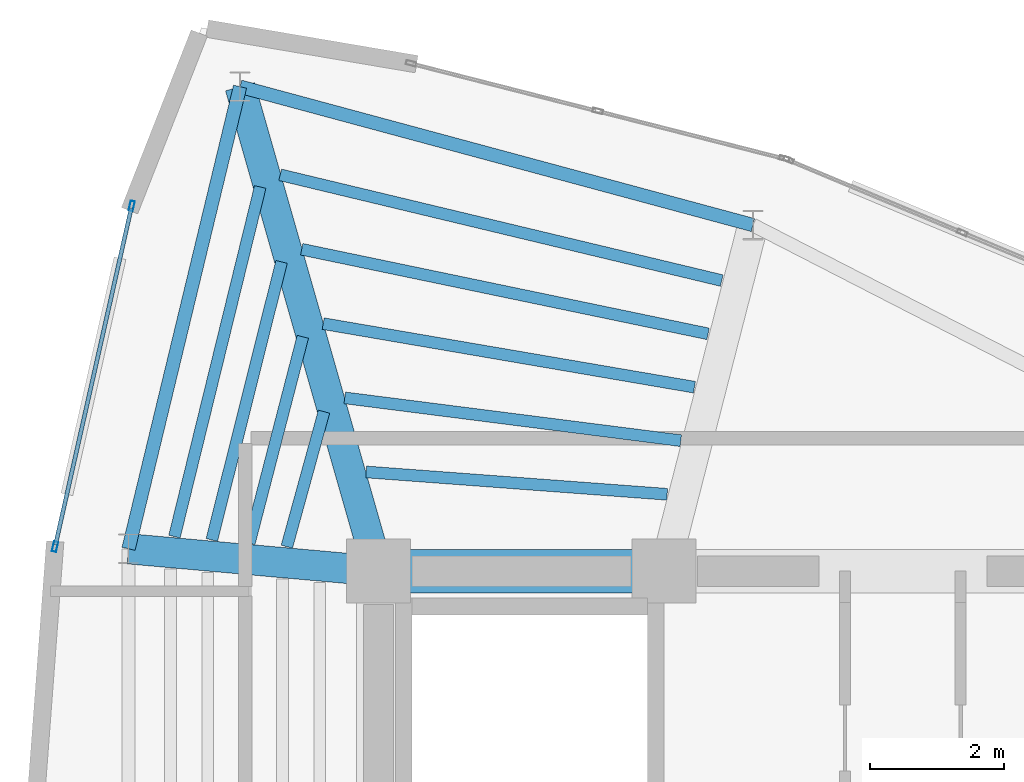
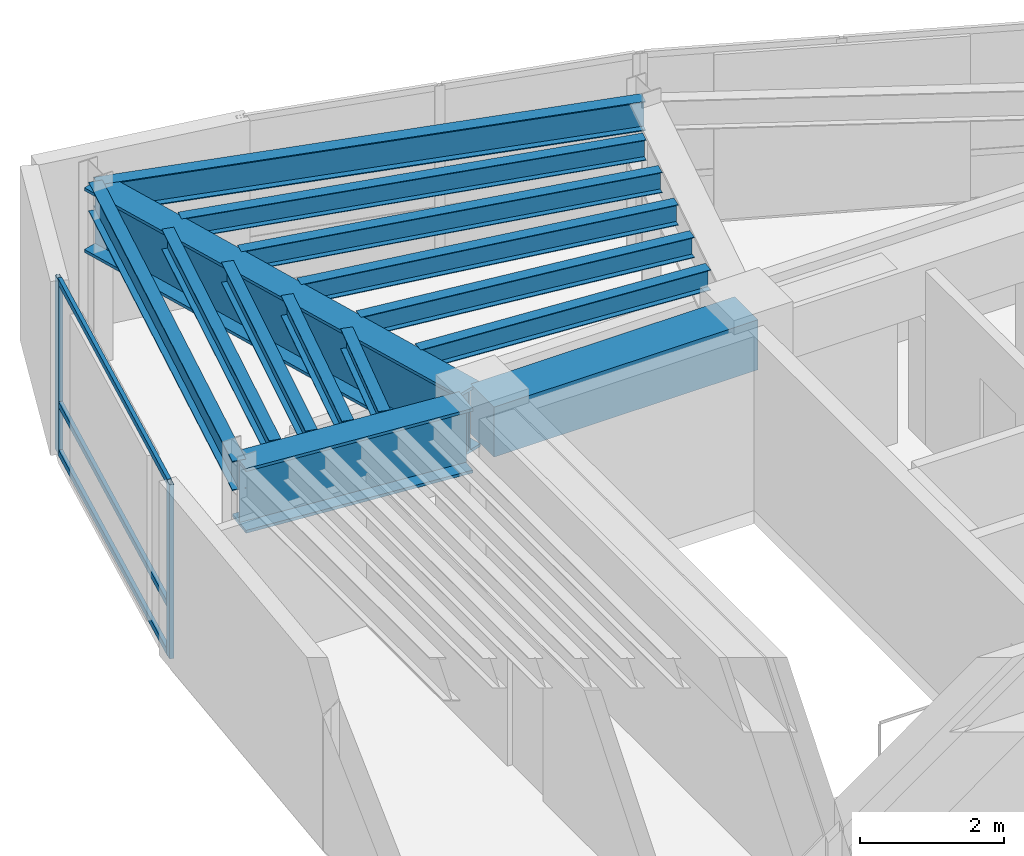
# One storey, part 7 of 13: 14 beams, 5 members, 1 element without a shape of its own.
"""IFC4 building model written with IfcOpenShell, lengths in metres."""

from ifc_helpers import new_model, si_unit, direction, frame, origin, origin_2d, place, context, subcontext, project, spatial, rectangle, hollow_rectangle, i_section, extrude, material, layer, layer_set, material_profile, profile_set, type_object, element, aggregate, save


model = new_model("IFC4")

# Units and contexts
model_context = context("Model", 3, precision=1e-05, world=origin(), true_north=direction((0.0, 1.0)))
body_context = subcontext(model_context, "Body", "Model", "MODEL_VIEW")
ifc_project = project(units=[si_unit("LENGTHUNIT", "METRE"), si_unit("AREAUNIT", "SQUARE_METRE"), si_unit("VOLUMEUNIT", "CUBIC_METRE"), si_unit("PLANEANGLEUNIT", "RADIAN"), si_unit("MASSUNIT", "GRAM", prefix="KILO")], contexts=[model_context])

# Site, building, storey
site_placement = place(None, origin())
site = spatial("IfcSite", under=ifc_project, at=site_placement, CompositionType="ELEMENT")
building_placement = place(site_placement, origin())
building = spatial("IfcBuilding", under=site, at=building_placement, Name="Menara Vayukalpa", CompositionType="ELEMENT")
storey_placement = place(building_placement, frame((0.0, 0.0, 315.219970703125)))
storey = spatial("IfcBuildingStorey", under=building, at=storey_placement, Name="L81", CompositionType="ELEMENT", Elevation=315.219970703125)

# Beams
ifc_material_1 = material(Name="Concrete C60/75", Category="concrete")
ifc_material_profile_1 = material_profile(ifc_material_1, rectangle(XDim=0.64990234375, YDim=0.85009765625, at=origin_2d()), Name="RC 650x850")
ifc_profile_set_1 = profile_set([ifc_material_profile_1], Name="Concrete C60/75")
beam_type_1 = type_object("IfcBeamType", Name="BM-CB1", PredefinedType="BEAM", material=ifc_profile_set_1)
beam_1_placement = place(storey_placement, frame((17.800048828125, 26.800048828125, 2.534912109375), z_axis=(1.0, 0.0, 0.0), x_axis=(0.0, 1.0, 0.0)))
element("IfcBeam", 1, at=beam_1_placement, inside=storey, type_object=beam_type_1, Name="L81 Core Tie Beam CBR4", PredefinedType="BEAM", context=body_context, shape_type="SweptSolid", body=[
    extrude(rectangle(XDim=0.64990234375, YDim=0.85009765625, at=origin_2d()), origin(), (0.0, 0.0, 1.0), 4.25),
])
ifc_material_2 = material(Name="Steel S460", Category="steel")
ifc_material_profile_2 = material_profile(ifc_material_2, i_section(OverallWidth=0.449951171875, OverallDepth=1.10009765625, WebThickness=0.02490234375, FlangeThickness=0.050048828125, at=origin_2d()), Name="WG 1100x450x25x50")
ifc_profile_set_2 = profile_set([ifc_material_profile_2], Name="Steel S460")
beam_type_2 = type_object("IfcBeamType", Name="BM-MTG1", PredefinedType="BEAM", material=ifc_profile_set_2)
beam_2_placement = place(storey_placement, frame((17.731201171875, 27.040283203125, 2.409912109375), z_axis=(-0.274721127897, 0.961523947641, 0.0), x_axis=(-0.961523947641, -0.274721127897, 0.0)))
element("IfcBeam", 2, at=beam_2_placement, inside=storey, type_object=beam_type_2, Name="L81 Primary Radial Girder RG04", PredefinedType="BEAM", context=body_context, shape_type="SweptSolid", body=[
    extrude(i_section(OverallWidth=0.449951171875, OverallDepth=1.10009765625, WebThickness=0.02490234375, FlangeThickness=0.050048828125, at=origin_2d()), origin(), (0.0, 0.0, 1.0), 7.246337890625),
])
beam_3_placement = place(storey_placement, frame((17.551025390625, 26.822265625, 2.409912109375), z_axis=(-0.996018615253, 0.089145488221, 0.0), x_axis=(-0.089145488221, -0.996018615253, 0.0)))
element("IfcBeam", 3, at=beam_3_placement, inside=storey, type_object=beam_type_2, Name="L81 Primary Radial Girder RG05", PredefinedType="BEAM", context=body_context, shape_type="SweptSolid", body=[
    extrude(i_section(OverallWidth=0.449951171875, OverallDepth=1.10009765625, WebThickness=0.02490234375, FlangeThickness=0.050048828125, at=origin_2d()), origin(), (0.0, 0.0, 1.0), 3.483642578125),
])
ifc_material_3 = material(Name="Steel S355", Category="steel")
ifc_material_profile_3 = material_profile(ifc_material_3, i_section(OverallWidth=0.175048828125, OverallDepth=0.35009765625, WebThickness=0.007080078125, FlangeThickness=0.010986328125, at=origin_2d()), Name="WF 350x175x7x11")
ifc_profile_set_3 = profile_set([ifc_material_profile_3], Name="Steel S355")
beam_type_3 = type_object("IfcBeamType", Name="BM-SJ3", PredefinedType="JOIST", material=ifc_profile_set_3)
beam_4_placement = place(storey_placement, frame((22.09423828125, 27.943603515625, 2.784912109375), z_axis=(-0.997249175421, 0.074122075804, 0.0), x_axis=(-0.074122075804, -0.997249175421, 0.0)))
element("IfcBeam", 4, at=beam_4_placement, inside=storey, type_object=beam_type_3, Name="L81 Secondary Floor Joist SJ03-1", PredefinedType="JOIST", context=body_context, shape_type="SweptSolid", body=[
    extrude(i_section(OverallWidth=0.175048828125, OverallDepth=0.35009765625, WebThickness=0.007080078125, FlangeThickness=0.010986328125, at=origin_2d()), origin(), (0.0, 0.0, 1.0), 4.489501953125),
])
beam_5_placement = place(storey_placement, frame((22.297119140625, 28.74169921875, 2.784912109375), z_axis=(-0.991987539287, 0.126335750682, 0.0), x_axis=(-0.126335750682, -0.991987539287, 0.0)))
element("IfcBeam", 5, at=beam_5_placement, inside=storey, type_object=beam_type_3, Name="L81 Secondary Floor Joist SJ03-2", PredefinedType="JOIST", context=body_context, shape_type="SweptSolid", body=[
    extrude(i_section(OverallWidth=0.175048828125, OverallDepth=0.35009765625, WebThickness=0.007080078125, FlangeThickness=0.010986328125, at=origin_2d()), origin(), (0.0, 0.0, 1.0), 5.039794921875),
])
beam_6_placement = place(storey_placement, frame((22.5, 29.537109375, 2.784912109375), z_axis=(-0.985657685594, 0.168757005274, 0.0), x_axis=(-0.168757005274, -0.985657685594, 0.0)))
element("IfcBeam", 6, at=beam_6_placement, inside=storey, type_object=beam_type_3, Name="L81 Secondary Floor Joist SJ03-3", PredefinedType="JOIST", context=body_context, shape_type="SweptSolid", body=[
    extrude(i_section(OverallWidth=0.175048828125, OverallDepth=0.35009765625, WebThickness=0.007080078125, FlangeThickness=0.010986328125, at=origin_2d()), origin(), (0.0, 0.0, 1.0), 5.60302734375),
])
beam_7_placement = place(storey_placement, frame((22.702880859375, 30.330810546875, 2.784912109375), z_axis=(-0.979027428924, 0.203728479637, 0.0), x_axis=(-0.203728479637, -0.979027428924, 0.0)))
element("IfcBeam", 7, at=beam_7_placement, inside=storey, type_object=beam_type_3, Name="L81 Secondary Floor Joist SJ03-4", PredefinedType="JOIST", context=body_context, shape_type="SweptSolid", body=[
    extrude(i_section(OverallWidth=0.175048828125, OverallDepth=0.35009765625, WebThickness=0.007080078125, FlangeThickness=0.010986328125, at=origin_2d()), origin(), (0.0, 0.0, 1.0), 6.175048828125),
])
beam_8_placement = place(storey_placement, frame((22.906005859375, 31.123291015625, 2.784912109375), z_axis=(-0.972497430752, 0.232913604541, 0.0), x_axis=(-0.232913604541, -0.972497430752, 0.0)))
element("IfcBeam", 8, at=beam_8_placement, inside=storey, type_object=beam_type_3, Name="L81 Secondary Floor Joist SJ03-5", PredefinedType="JOIST", context=body_context, shape_type="SweptSolid", body=[
    extrude(i_section(OverallWidth=0.175048828125, OverallDepth=0.35009765625, WebThickness=0.007080078125, FlangeThickness=0.010986328125, at=origin_2d()), origin(), (0.0, 0.0, 1.0), 6.754638671875),
])
beam_9_placement = place(storey_placement, frame((16.989501953125, 29.173095703125, 2.784912109375), z_axis=(-0.265485960503, -0.964114725941, 0.0), x_axis=(0.964114725941, -0.265485960503, 0.0)))
element("IfcBeam", 9, at=beam_9_placement, inside=storey, type_object=beam_type_3, Name="L81 Secondary Floor Joist SJ04-2", PredefinedType="JOIST", context=body_context, shape_type="SweptSolid", body=[
    extrude(i_section(OverallWidth=0.175048828125, OverallDepth=0.35009765625, WebThickness=0.007080078125, FlangeThickness=0.010986328125, at=origin_2d()), origin(), (0.0, 0.0, 1.0), 2.083740234375),
])
beam_10_placement = place(storey_placement, frame((16.67431640625, 30.286865234375, 2.784912109375), z_axis=(-0.250996862559, -0.967987900227, 0.0), x_axis=(0.967987900227, -0.250996862559, 0.0)))
element("IfcBeam", 10, at=beam_10_placement, inside=storey, type_object=beam_type_3, Name="L81 Secondary Floor Joist SJ04-3", PredefinedType="JOIST", context=body_context, shape_type="SweptSolid", body=[
    extrude(i_section(OverallWidth=0.175048828125, OverallDepth=0.35009765625, WebThickness=0.007080078125, FlangeThickness=0.010986328125, at=origin_2d()), origin(), (0.0, 0.0, 1.0), 3.173828125),
])
beam_11_placement = place(storey_placement, frame((16.35791015625, 31.401123046875, 2.784912109375), z_axis=(-0.243209126808, -0.969973876265, 0.0), x_axis=(0.969973876265, -0.243209126808, 0.0)))
element("IfcBeam", 11, at=beam_11_placement, inside=storey, type_object=beam_type_3, Name="L81 Secondary Floor Joist SJ04-4", PredefinedType="JOIST", context=body_context, shape_type="SweptSolid", body=[
    extrude(i_section(OverallWidth=0.175048828125, OverallDepth=0.35009765625, WebThickness=0.007080078125, FlangeThickness=0.010986328125, at=origin_2d()), origin(), (0.0, 0.0, 1.0), 4.26416015625),
])
beam_12_placement = place(storey_placement, frame((16.04052734375, 32.515625, 2.784912109375), z_axis=(-0.238306723875, -0.971189942985, 0.0), x_axis=(0.971189942985, -0.238306723875, 0.0)))
element("IfcBeam", 12, at=beam_12_placement, inside=storey, type_object=beam_type_3, Name="L81 Secondary Floor Joist SJ04-5", PredefinedType="JOIST", context=body_context, shape_type="SweptSolid", body=[
    extrude(i_section(OverallWidth=0.175048828125, OverallDepth=0.35009765625, WebThickness=0.007080078125, FlangeThickness=0.010986328125, at=origin_2d()), origin(), (0.0, 0.0, 1.0), 5.35498046875),
])
ifc_material_4 = material(Name="Steel S355", Category="steel")
ifc_material_profile_4 = material_profile(ifc_material_4, i_section(OverallWidth=0.199951171875, OverallDepth=0.5, WebThickness=0.010009765625, FlangeThickness=0.01611328125, at=origin_2d()), Name="WF 500x200x10x16")
ifc_profile_set_4 = profile_set([ifc_material_profile_4], Name="Steel S355")
beam_type_4 = type_object("IfcBeamType", Name="BM-SP3", PredefinedType="SPANDREL", material=ifc_profile_set_4)
beam_13_placement = place(storey_placement, frame((23.37060546875, 31.949462890625, 2.7099609375), z_axis=(-0.965485889412, 0.260455365361, 0.0), x_axis=(-0.260455365361, -0.965485889412, 0.0)))
element("IfcBeam", 13, at=beam_13_placement, inside=storey, type_object=beam_type_4, Name="L81 Perimeter Spandrel Beam SP03", PredefinedType="SPANDREL", context=body_context, shape_type="SweptSolid", body=[
    extrude(i_section(OverallWidth=0.199951171875, OverallDepth=0.5, WebThickness=0.010009765625, FlangeThickness=0.01611328125, at=origin_2d()), origin(), (0.0, 0.0, 1.0), 7.90283203125),
])
beam_14_placement = place(storey_placement, frame((15.740478515625, 34.0078125, 2.7099609375), z_axis=(-0.234600039411, -0.97209198202, 0.0), x_axis=(0.97209198202, -0.234600039411, 0.0)))
element("IfcBeam", 14, at=beam_14_placement, inside=storey, type_object=beam_type_4, Name="L81 Perimeter Spandrel Beam SP04", PredefinedType="SPANDREL", context=body_context, shape_type="SweptSolid", body=[
    extrude(i_section(OverallWidth=0.199951171875, OverallDepth=0.5, WebThickness=0.010009765625, FlangeThickness=0.01611328125, at=origin_2d()), origin(), (0.0, 0.0, 1.0), 7.072265625),
])

# Curtain wall, members
ifc_material_5 = material(Name="Anodised Terracotta Aluminium Alloy 6063-T6", Category="masonry")
ifc_layer = layer(ifc_material_5, 0.14990234375)
ifc_layer_set = layer_set([ifc_layer], Name="Anodised Terracotta Aluminium Alloy 6063-T6")
curtain_wall_type = type_object("IfcCurtainWallType", Name="CW-CW7", PredefinedType="USERDEFINED", material=ifc_layer_set)
curtain_wall_placement = place(storey_placement, origin())
curtain_wall = element("IfcCurtainWall", 15, at=curtain_wall_placement, inside=storey, type_object=curtain_wall_type, Name="L81 Crown Drum Screened Curtain Wall CW7 09", ObjectType="UNITISED", PredefinedType="USERDEFINED")
ifc_material_6 = material(Name="Anodised Terracotta Aluminium Alloy 6063-T6", Category="masonry")
ifc_material_profile_5 = material_profile(ifc_material_6, hollow_rectangle(XDim=0.06494140625, YDim=0.14990234375, WallThickness=0.00341796875, at=origin_2d()), Name="ALU 65x150x3.5")
ifc_profile_set_5 = profile_set([ifc_material_profile_5], Name="Anodised Terracotta Aluminium Alloy 6063-T6")
member_type_1 = type_object("IfcMemberType", Name="CWM-CW7", PredefinedType="MULLION", material=ifc_profile_set_5)
member_1_placement = place(storey_placement, frame((14.129150390625, 32.23388671875, 0.0), z_axis=(0.0, 0.0, 1.0), x_axis=(0.975608941973, -0.219515813421, 0.0)))
member_1 = element("IfcMember", 16, at=member_1_placement, type_object=member_type_1, Name="CW7 mullion 1", PredefinedType="MULLION", context=body_context, shape_type="SweptSolid", body=[
    extrude(hollow_rectangle(XDim=0.06494140625, YDim=0.14990234375, WallThickness=0.00341796875, at=origin_2d()), origin(), (0.0, 0.0, 1.0), 2.9599609375),
])
member_2_placement = place(storey_placement, frame((12.988525390625, 27.16455078125, 0.0), z_axis=(0.0, 0.0, 1.0), x_axis=(0.975608941973, -0.219515813421, 0.0)))
member_2 = element("IfcMember", 17, at=member_2_placement, type_object=member_type_1, Name="CW7 mullion 2", PredefinedType="MULLION", context=body_context, shape_type="SweptSolid", body=[
    extrude(hollow_rectangle(XDim=0.06494140625, YDim=0.14990234375, WallThickness=0.00341796875, at=origin_2d()), origin(), (0.0, 0.0, 1.0), 2.9599609375),
])
ifc_material_7 = material(Name="Anodised Terracotta Aluminium Alloy 6063-T6", Category="masonry")
ifc_material_profile_6 = material_profile(ifc_material_7, hollow_rectangle(XDim=0.06005859375, YDim=0.10498046875, WallThickness=0.0029296875, at=origin_2d()), Name="ALU 60x105x3")
ifc_profile_set_6 = profile_set([ifc_material_profile_6], Name="Anodised Terracotta Aluminium Alloy 6063-T6")
member_type_2 = type_object("IfcMemberType", Name="CWT-CW7", PredefinedType="USERDEFINED", material=ifc_profile_set_6)
member_3_placement = place(storey_placement, frame((14.1220703125, 32.2021484375, 0.030029296875), z_axis=(-0.219539368084, -0.975603641784, 0.0), x_axis=(0.975603641784, -0.219539368084, 0.0)))
member_3 = element("IfcMember", 18, at=member_3_placement, type_object=member_type_2, Name="CW7 transom 1.1", ObjectType="TRANSOM", PredefinedType="USERDEFINED", context=body_context, shape_type="SweptSolid", body=[
    extrude(hollow_rectangle(XDim=0.06005859375, YDim=0.10498046875, WallThickness=0.0029296875, at=origin_2d()), origin(), (0.0, 0.0, 1.0), 5.131103515625),
])
member_4_placement = place(storey_placement, frame((14.1220703125, 32.2021484375, 0.85009765625), z_axis=(-0.219539368084, -0.975603641784, 0.0), x_axis=(0.975603641784, -0.219539368084, 0.0)))
member_4 = element("IfcMember", 19, at=member_4_placement, type_object=member_type_2, Name="CW7 transom 1.2", ObjectType="TRANSOM", PredefinedType="USERDEFINED", context=body_context, shape_type="SweptSolid", body=[
    extrude(hollow_rectangle(XDim=0.06005859375, YDim=0.10498046875, WallThickness=0.0029296875, at=origin_2d()), origin(), (0.0, 0.0, 1.0), 5.131103515625),
])
member_5_placement = place(storey_placement, frame((14.1220703125, 32.2021484375, 2.929931640625), z_axis=(-0.219539368084, -0.975603641784, 0.0), x_axis=(0.975603641784, -0.219539368084, 0.0)))
member_5 = element("IfcMember", 20, at=member_5_placement, type_object=member_type_2, Name="CW7 transom 1.3", ObjectType="TRANSOM", PredefinedType="USERDEFINED", context=body_context, shape_type="SweptSolid", body=[
    extrude(hollow_rectangle(XDim=0.06005859375, YDim=0.10498046875, WallThickness=0.0029296875, at=origin_2d()), origin(), (0.0, 0.0, 1.0), 5.131103515625),
])
aggregate(curtain_wall, [member_1, member_2, member_3, member_4, member_5])

save(model, "model.ifc")
